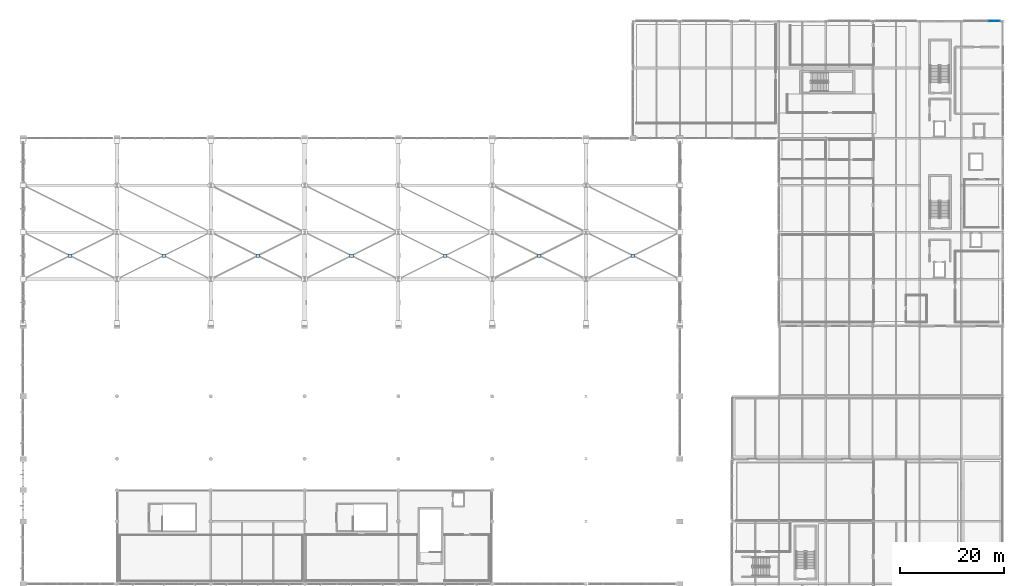
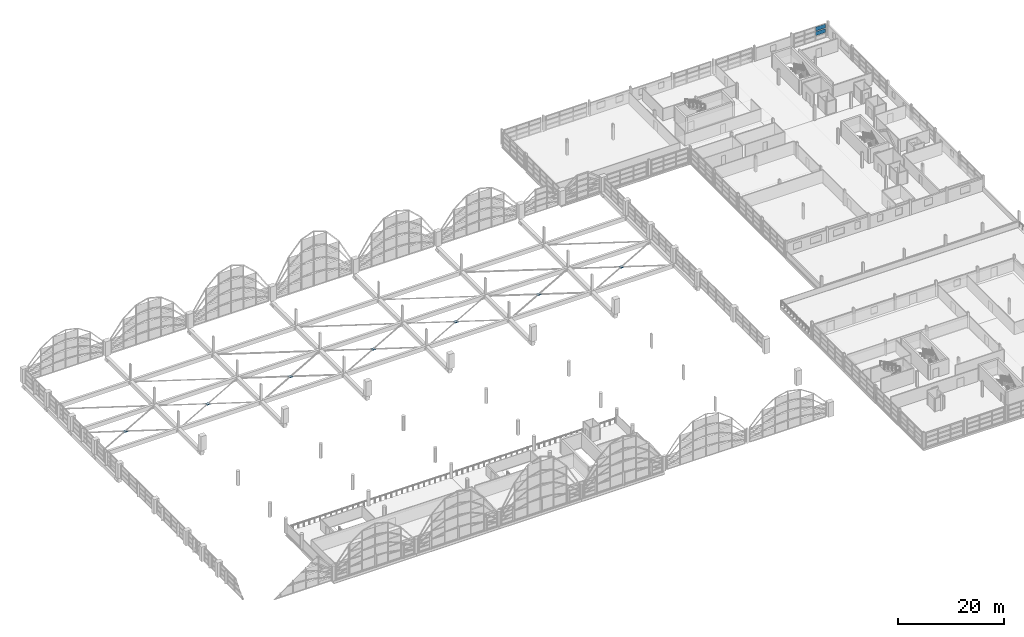
# One storey, part 97 of 116: 9 plates, 1 element without a shape of its own.
"""IFC4 building model written with IfcOpenShell, lengths in metres."""

from ifc_helpers import new_model, si_unit, direction, frame, origin, origin_2d, place, context, subcontext, project, spatial, rectangle, extrude, material, layer, layer_set, type_object, element, aggregate, save


model = new_model("IFC4")

# Units and contexts
model_context = context("Model", 3, precision=1e-05, world=origin(), true_north=direction((0.0, 1.0)))
body_context = subcontext(model_context, "Body", "Model", "MODEL_VIEW")
ifc_project = project(units=[si_unit("LENGTHUNIT", "METRE"), si_unit("AREAUNIT", "SQUARE_METRE"), si_unit("VOLUMEUNIT", "CUBIC_METRE"), si_unit("PLANEANGLEUNIT", "RADIAN"), si_unit("MASSUNIT", "GRAM", prefix="KILO")], contexts=[model_context])

# Site, building, storey
site_placement = place(None, origin())
site = spatial("IfcSite", under=ifc_project, at=site_placement, CompositionType="ELEMENT")
building_placement = place(site_placement, origin())
building = spatial("IfcBuilding", under=site, at=building_placement, Name="Chuanluo Vaults Station", CompositionType="ELEMENT")
storey_placement = place(building_placement, frame((0.0, 0.0, 10.800048828125)))
storey = spatial("IfcBuildingStorey", under=building, at=storey_placement, Name="L02", CompositionType="ELEMENT", Elevation=10.800048828125)

# Curtain wall, plates
ifc_material_1 = material(Name="Anodised aluminium 6063-T6", Category="aluminium")
curtain_wall_type = type_object("IfcCurtainWallType", Name="CW-SYS-14", PredefinedType="NOTDEFINED", material=ifc_material_1)
curtain_wall_placement = place(storey_placement, origin())
curtain_wall = element("IfcCurtainWall", 1, at=curtain_wall_placement, inside=storey, type_object=curtain_wall_type, Name="Operations L02 facade CW", PredefinedType="NOTDEFINED")
ifc_material_2 = material(Name="Double-silver Low-E laminated glass", Category="glass")
ifc_layer_1 = layer(ifc_material_2, 0.053955078125)
ifc_layer_set_1 = layer_set([ifc_layer_1], Name="Double-silver Low-E laminated glass")
plate_type_1 = type_object("IfcPlateType", Name="CWP-VIS-36", PredefinedType="CURTAIN_PANEL", material=ifc_layer_set_1)
plate_1_placement = place(storey_placement, frame((186.316650390625, 126.0, 1.146484375), z_axis=(0.0, 0.0, 1.0), x_axis=(1.0, 0.0, 0.0)))
plate_1 = element("IfcPlate", 2, at=plate_1_placement, type_object=plate_type_1, Name="Operations L02 facade CW glazed panel 3.2", PredefinedType="CURTAIN_PANEL", context=body_context, shape_type="SweptSolid", body=[
    extrude(rectangle(XDim=2.15673828125, YDim=0.053955078125, at=origin_2d()), origin(), (0.0, 0.0, 1.0), 0.906494140625),
])
plate_2_placement = place(storey_placement, frame((186.316650390625, 126.0, 2.213134765625), z_axis=(0.0, 0.0, 1.0), x_axis=(1.0, 0.0, 0.0)))
plate_2 = element("IfcPlate", 3, at=plate_2_placement, type_object=plate_type_1, Name="Operations L02 facade CW glazed panel 3.3", PredefinedType="CURTAIN_PANEL", context=body_context, shape_type="SweptSolid", body=[
    extrude(rectangle(XDim=2.15673828125, YDim=0.053955078125, at=origin_2d()), origin(), (0.0, 0.0, 1.0), 0.90673828125),
])
aggregate(curtain_wall, [plate_1, plate_2])

# Plates
ifc_material_3 = material(Name="Steel Q355C", Category="steel")
ifc_layer_2 = layer(ifc_material_3, 0.02392578125)
ifc_layer_set_2 = layer_set([ifc_layer_2], Name="Steel Q355C")
plate_type_2 = type_object("IfcPlateType", Name="PLT-GUS-24", PredefinedType="USERDEFINED", material=ifc_layer_set_2)
for number, where, z_axis, x_axis, name in (
    (4, (9.0, 81.0, -0.8642578125), (0.0, 0.0, 1.0), (1.0, 0.0, 0.0), "Over-track X-brace crossing gusset 1"),
    (5, (27.0, 81.0, -0.8642578125), (0.0, 0.0, 1.0), (1.0, 0.0, 0.0), "Over-track X-brace crossing gusset 2"),
    (6, (45.0, 81.0, -0.8642578125), (0.0, 0.0, 1.0), (1.0, 0.0, 0.0), "Over-track X-brace crossing gusset 3"),
    (7, (63.0, 81.0, -0.8642578125), (0.0, 0.0, 1.0), (1.0, 0.0, 0.0), "Over-track X-brace crossing gusset 4"),
    (8, (81.0, 81.0, -0.8642578125), (0.0, 0.0, 1.0), (1.0, 0.0, 0.0), "Over-track X-brace crossing gusset 5"),
    (9, (99.0, 81.0, -0.8642578125), (0.0, 0.0, 1.0), (1.0, 0.0, 0.0), "Over-track X-brace crossing gusset 6"),
    (10, (117.0, 81.0, -0.8642578125), (0.0, 0.0, 1.0), (1.0, 0.0, 0.0), "Over-track X-brace crossing gusset 7"),
):
    element("IfcPlate", number, at=place(storey_placement, frame(where, z_axis=z_axis, x_axis=x_axis)), inside=storey, type_object=plate_type_2, Name=name, ObjectType="GUSSET_PLATE", PredefinedType="USERDEFINED", context=body_context, shape_type="SweptSolid", body=[
        extrude(rectangle(XDim=0.699951171875, YDim=0.699951171875, at=origin_2d()), origin(), (0.0, 0.0, 1.0), 0.028076171875),
    ])

save(model, "model.ifc")
